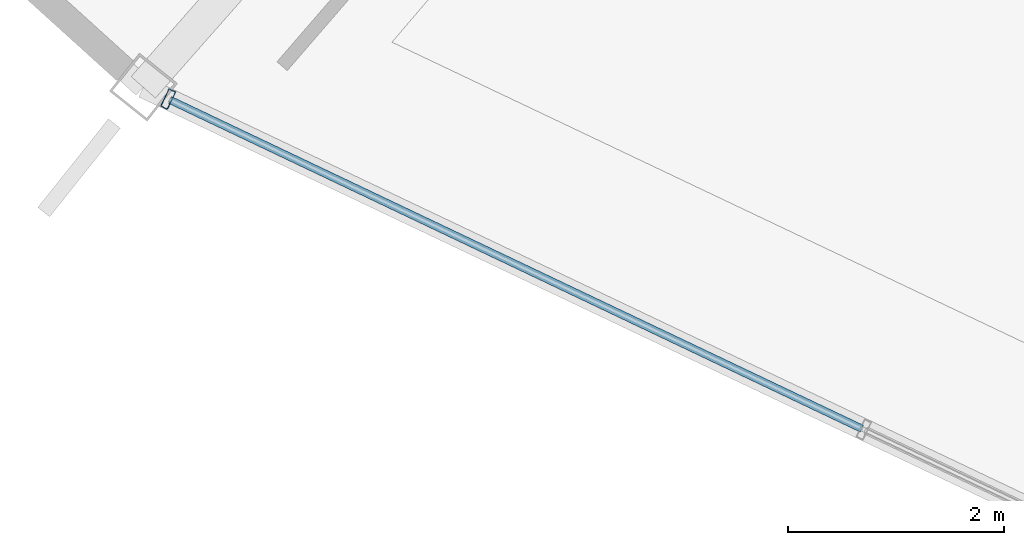
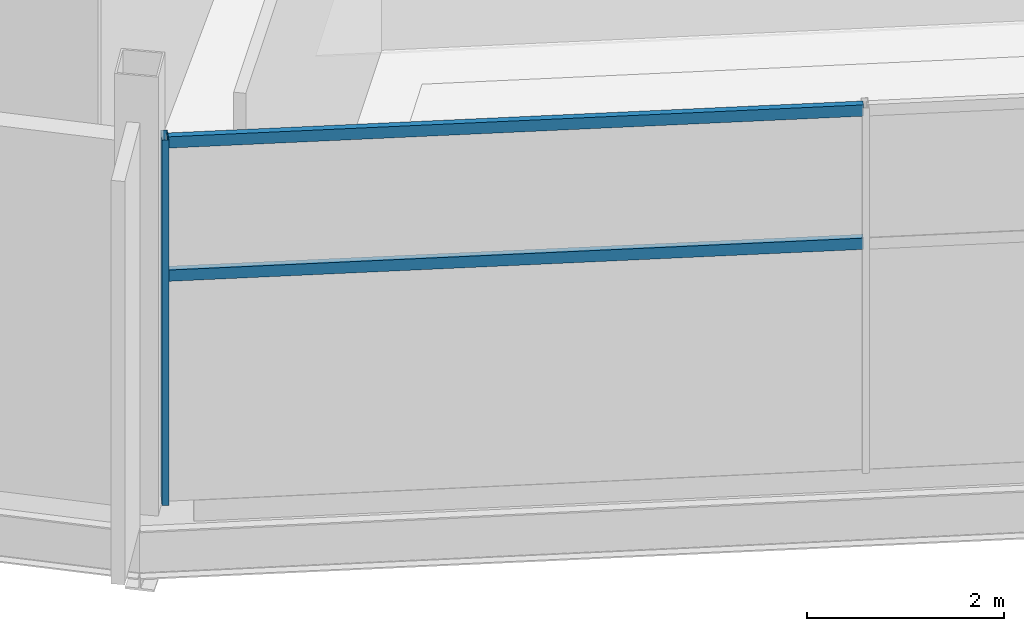
# One storey, part 14 of 186: 3 members, 1 element without a shape of its own.
"""IFC4 building model written with IfcOpenShell, lengths in metres."""

from ifc_helpers import new_model, si_unit, direction, frame, origin, origin_2d, place, context, subcontext, project, spatial, hollow_rectangle, extrude, material, layer, layer_set, material_profile, profile_set, type_object, element, aggregate, save


model = new_model("IFC4")

# Units and contexts
model_context = context("Model", 3, precision=1e-05, world=origin(), true_north=direction((0.0, 1.0)))
body_context = subcontext(model_context, "Body", "Model", "MODEL_VIEW")
ifc_project = project(units=[si_unit("LENGTHUNIT", "METRE"), si_unit("AREAUNIT", "SQUARE_METRE"), si_unit("VOLUMEUNIT", "CUBIC_METRE"), si_unit("PLANEANGLEUNIT", "RADIAN"), si_unit("MASSUNIT", "GRAM", prefix="KILO")], contexts=[model_context])

# Site, building, storey
site_placement = place(None, origin())
site = spatial("IfcSite", under=ifc_project, at=site_placement, CompositionType="ELEMENT")
building_placement = place(site_placement, origin())
building = spatial("IfcBuilding", under=site, at=building_placement, Name="Kazemori Nagisa Stadium", CompositionType="ELEMENT")
storey_placement = place(building_placement, frame((0.0, 0.0, 20.39990234375)))
storey = spatial("IfcBuildingStorey", under=building, at=storey_placement, Name="L04", CompositionType="ELEMENT", Elevation=20.39990234375)

# Curtain wall, members
ifc_material_1 = material(Name="Anodised aluminium 6063-T5", Category="aluminium")
ifc_layer = layer(ifc_material_1, 0.179931640625, Name="Anodised aluminium 6063-T5", Category="aluminium")
ifc_layer_set = layer_set([ifc_layer], Name="Anodised aluminium 6063-T5")
curtain_wall_type = type_object("IfcCurtainWallType", Name="CW_L04R3_107", PredefinedType="USERDEFINED", material=ifc_layer_set)
curtain_wall_placement = place(storey_placement, origin())
curtain_wall = element("IfcCurtainWall", 1, at=curtain_wall_placement, inside=storey, type_object=curtain_wall_type, Name="Unitised curtain wall CW-L04R3-107 L04", ObjectType="UNITISED CURTAIN WALL", PredefinedType="USERDEFINED")
ifc_material_2 = material(Name="Aluminium 6063-T5 anodised", Category="aluminium")
ifc_material_profile_1 = material_profile(ifc_material_2, hollow_rectangle(XDim=0.070068359375, YDim=0.179931640625, WallThickness=0.00390625, at=origin_2d()), Name="ALU-MULL-70x180x4")
ifc_profile_set_1 = profile_set([ifc_material_profile_1], Name="Aluminium 6063-T5 anodised")
member_type_1 = type_object("IfcMemberType", Name="Mullion_M01", PredefinedType="MULLION", material=ifc_profile_set_1)
member_1_placement = place(storey_placement, frame((60.63232421875, 30.83154296875, 0.0), z_axis=(0.0, 0.0, 1.0), x_axis=(0.903215892654, -0.429186499388, 0.0)))
member_1 = element("IfcMember", 2, at=member_1_placement, type_object=member_type_1, Name="Curtain wall mullion CW-L04R3-107-M1", PredefinedType="MULLION", context=body_context, shape_type="SweptSolid", body=[
    extrude(hollow_rectangle(XDim=0.070068359375, YDim=0.179931640625, WallThickness=0.00390625, at=origin_2d()), origin(), (0.0, 0.0, 1.0), 4.530029296875),
])
ifc_material_profile_2 = material_profile(ifc_material_2, hollow_rectangle(XDim=0.070068359375, YDim=0.139892578125, WallThickness=0.00390625, at=origin_2d()), Name="ALU-TRAN-70x140x4")
ifc_profile_set_2 = profile_set([ifc_material_profile_2], Name="Aluminium 6063-T5 anodised")
member_type_2 = type_object("IfcMemberType", Name="Transom_T01", PredefinedType="USERDEFINED", material=ifc_profile_set_2)
member_2_placement = place(storey_placement, frame((60.650390625, 30.822998046875, 2.80859375), z_axis=(0.903221484367, -0.429174731523, 0.0), x_axis=(0.429174731523, 0.903221484367, 0.0)))
member_2 = element("IfcMember", 3, at=member_2_placement, type_object=member_type_2, Name="Curtain wall transom CW-L04R3-107-T1-mid", ObjectType="TRANSOM", PredefinedType="USERDEFINED", context=body_context, shape_type="SweptSolid", body=[
    extrude(hollow_rectangle(XDim=0.070068359375, YDim=0.139892578125, WallThickness=0.00390625, at=origin_2d()), origin(), (0.0, 0.0, 1.0), 7.0947265625),
])
member_3_placement = place(storey_placement, frame((60.650390625, 30.822998046875, 4.460205078125), z_axis=(0.903221484367, -0.429174731523, 0.0), x_axis=(0.429174731523, 0.903221484367, 0.0)))
member_3 = element("IfcMember", 4, at=member_3_placement, type_object=member_type_2, Name="Curtain wall transom CW-L04R3-107-T1-head", ObjectType="TRANSOM", PredefinedType="USERDEFINED", context=body_context, shape_type="SweptSolid", body=[
    extrude(hollow_rectangle(XDim=0.070068359375, YDim=0.139892578125, WallThickness=0.00390625, at=origin_2d()), origin(), (0.0, 0.0, 1.0), 7.0947265625),
])
aggregate(curtain_wall, [member_1, member_2, member_3])

save(model, "model.ifc")
